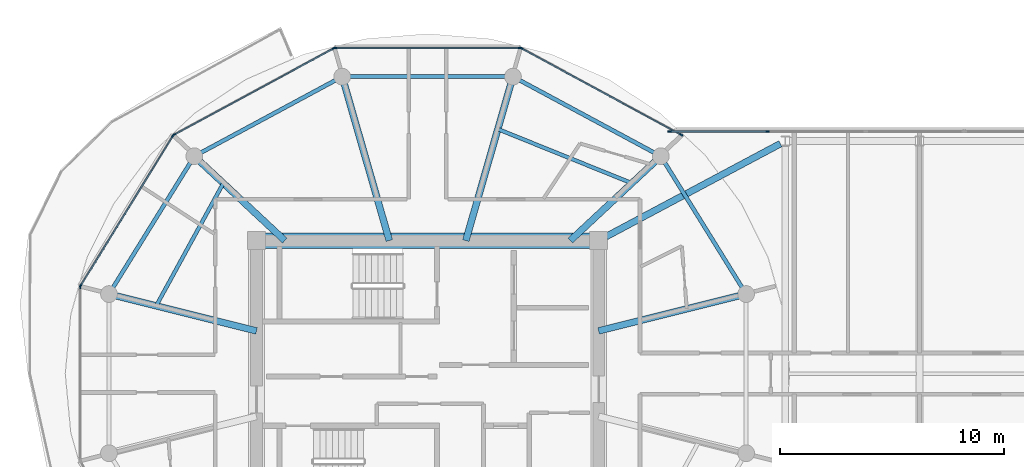
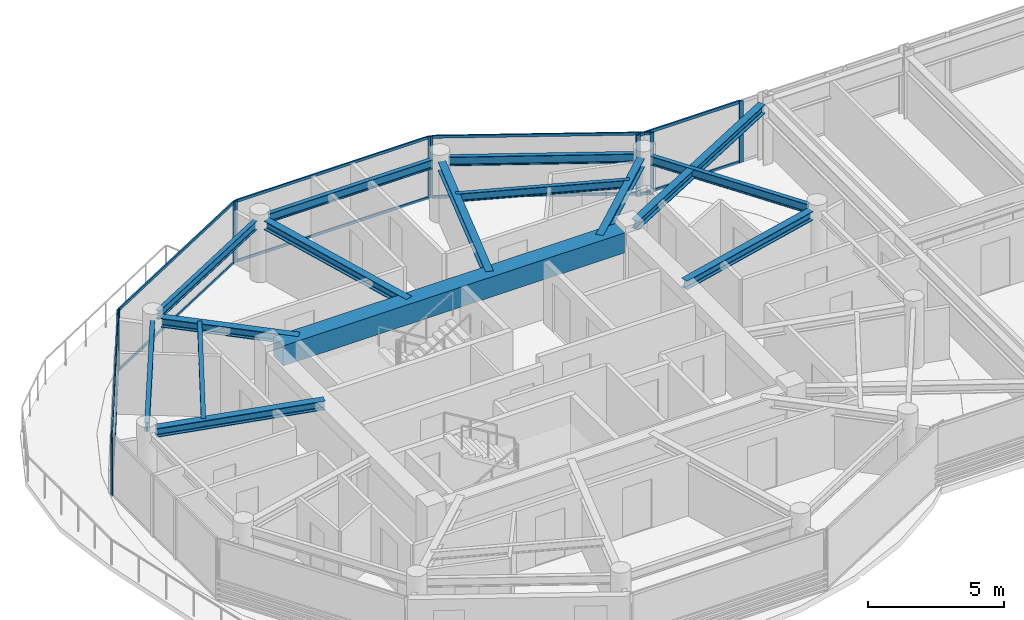
# One storey, part 5 of 24: 21 members, 15 beams, 6 elements without a shape of their own.
"""IFC4 building model written with IfcOpenShell, lengths in metres."""

from ifc_helpers import new_model, si_unit, direction, frame, origin, origin_2d, place, context, subcontext, project, spatial, rectangle, i_section, extrude, source, transform, mapped, material, layer, layer_set, material_profile, profile_set, type_object, type_shapes, element, aggregate, save


model = new_model("IFC4")

# Units and contexts
model_context = context("Model", 3, precision=1e-05, world=origin(), true_north=direction((0.0, 1.0)))
body_context = subcontext(model_context, "Body", "Model", "MODEL_VIEW")
ifc_project = project(units=[si_unit("LENGTHUNIT", "METRE"), si_unit("AREAUNIT", "SQUARE_METRE"), si_unit("VOLUMEUNIT", "CUBIC_METRE"), si_unit("PLANEANGLEUNIT", "RADIAN"), si_unit("MASSUNIT", "GRAM", prefix="KILO")], contexts=[model_context])

# Site, building, storey
site_placement = place(None, origin())
site = spatial("IfcSite", under=ifc_project, at=site_placement, CompositionType="ELEMENT")
building_placement = place(site_placement, origin())
building = spatial("IfcBuilding", under=site, at=building_placement, Name="Norrkilde Senior Care Towers", CompositionType="ELEMENT")
storey_placement = place(building_placement, frame((0.0, 0.0, 213.89990234375)))
storey = spatial("IfcBuildingStorey", under=building, at=storey_placement, Name="L66", CompositionType="ELEMENT", Elevation=213.89990234375)

# Beams
ifc_material_1 = material(Name="Concrete C60/75", Category="concrete")
ifc_material_profile_1 = material_profile(ifc_material_1, rectangle(XDim=0.699951171875, YDim=0.89990234375, at=origin_2d()), Name="RC BM 700x900")
ifc_profile_set_1 = profile_set([ifc_material_profile_1], Name="Concrete C60/75")
beam_type_1 = type_object("IfcBeamType", Name="Core Coupling Girder 700x900", PredefinedType="USERDEFINED", material=ifc_profile_set_1)
shared_shape_1 = source(origin(), body_context, "Body", "SweptSolid", [
    extrude(rectangle(XDim=0.699951171875, YDim=0.89990234375, at=origin_2d()), origin(), (0.0, 0.0, 1.0), 14.5400390625),
])
type_shapes(beam_type_1, [shared_shape_1])
beam_1_placement = place(storey_placement, frame((-35.27001953125, 5.949951171875, 2.31005859375), z_axis=(1.0, 0.0, 0.0), x_axis=(0.0, 1.0, 0.0)))
element("IfcBeam", 1, at=beam_1_placement, inside=storey, type_object=beam_type_1, Name="L66 Core W N Coupling Girder", ObjectType="GIRDER", PredefinedType="USERDEFINED", context=body_context, shape_type="MappedRepresentation", body=[
    mapped(shared_shape_1, transform((0.0, 0.0, 0.0), x_axis=(1.0, 0.0, 0.0), y_axis=(0.0, 1.0, 0.0), z_axis=(0.0, 0.0, 1.0), scale=1.0)),
])
ifc_material_2 = material(Name="Steel S355", Category="steel")
ifc_material_profile_2 = material_profile(ifc_material_2, i_section(OverallWidth=0.179931640625, OverallDepth=0.39990234375, WebThickness=0.008544921875, FlangeThickness=0.013427734375, FilletRadius=0.02099609375, at=origin_2d()), Name="IPE 400")
ifc_profile_set_2 = profile_set([ifc_material_profile_2], Name="Steel S355")
beam_type_2 = type_object("IfcBeamType", Name="Perimeter Ring Spandrel Z4 IPE400", PredefinedType="SPANDREL", material=ifc_profile_set_2)
shared_shape_2 = source(origin(), body_context, "Body", "SweptSolid", [
    extrude(i_section(OverallWidth=0.179931640625, OverallDepth=0.39990234375, WebThickness=0.008544921875, FlangeThickness=0.013427734375, FilletRadius=0.02099609375, at=origin_2d()), origin(), (0.0, 0.0, 1.0), 6.58056640625),
])
for number, where, z_axis, x_axis, name in (
    (2, (-13.928955078125, 3.843505859375, 2.56005859375), (-0.526529583789, 0.850156807533, 0.0), (-0.850156807533, -0.526529583789, 0.0), "L66 Drum W Perimeter Spandrel 01"),
    (3, (-38.606201171875, 9.43798828125, 2.56005859375), (-0.526529583789, -0.850156807533, 0.0), (0.850156807533, -0.526529583789, 0.0), "L66 Drum W Perimeter Spandrel 05"),
):
    element("IfcBeam", number, at=place(storey_placement, frame(where, z_axis=z_axis, x_axis=x_axis)), inside=storey, type_object=beam_type_2, Name=name, PredefinedType="SPANDREL", context=body_context, shape_type="MappedRepresentation", body=[
        mapped(shared_shape_2, transform((0.0, 0.0, 0.0), x_axis=(1.0, 0.0, 0.0), y_axis=(0.0, 1.0, 0.0), z_axis=(0.0, 0.0, 1.0), scale=1.0)),
    ])
ifc_material_profile_3 = material_profile(ifc_material_2, i_section(OverallWidth=0.300048828125, OverallDepth=0.39990234375, WebThickness=0.013427734375, FlangeThickness=0.02392578125, FilletRadius=0.027099609375, at=origin_2d()), Name="HEB 400")
ifc_profile_set_3 = profile_set([ifc_material_profile_3], Name="Steel S355")
beam_type_3 = type_object("IfcBeamType", Name="Radial Floor Beam Z4 HEB400", PredefinedType="BEAM", material=ifc_profile_set_3)
shared_shape_3 = source(origin(), body_context, "Body", "SweptSolid", [
    extrude(i_section(OverallWidth=0.300048828125, OverallDepth=0.39990234375, WebThickness=0.013427734375, FlangeThickness=0.02392578125, FilletRadius=0.027099609375, at=origin_2d()), origin(), (0.0, 0.0, 1.0), 6.465087890625),
])
for number, where, z_axis, x_axis, name in (
    (4, (-20.35009765625, 1.910888671875, 2.56005859375), (0.970195788563, 0.242322371758, 0.0), (-0.242322371758, 0.970195788563, 0.0), "L66 Drum W Radial Floor Beam 01"),
    (5, (-35.64990234375, 1.910888671875, 2.56005859375), (-0.970195788563, 0.242322371758, 0.0), (-0.242322371758, -0.970195788563, 0.0), "L66 Drum W Radial Floor Beam 06"),
):
    element("IfcBeam", number, at=place(storey_placement, frame(where, z_axis=z_axis, x_axis=x_axis)), inside=storey, type_object=beam_type_3, Name=name, PredefinedType="BEAM", context=body_context, shape_type="MappedRepresentation", body=[
        mapped(shared_shape_3, transform((0.0, 0.0, 0.0), x_axis=(1.0, 0.0, 0.0), y_axis=(0.0, 1.0, 0.0), z_axis=(0.0, 0.0, 1.0), scale=1.0)),
    ])
shared_shape_4 = source(origin(), body_context, "Body", "SweptSolid", [
    extrude(i_section(OverallWidth=0.179931640625, OverallDepth=0.39990234375, WebThickness=0.008544921875, FlangeThickness=0.013427734375, FilletRadius=0.02099609375, at=origin_2d()), origin(), (0.0, 0.0, 1.0), 6.839111328125),
])
for number, where, z_axis, x_axis, name in (
    (6, (-17.865234375, 9.881591796875, 2.56005859375), (-0.880563930732, 0.473927382511, 0.0), (-0.473927382511, -0.880563930732, 0.0), "L66 Drum W Perimeter Spandrel 02"),
    (7, (-32.112548828125, 13.122802734375, 2.56005859375), (-0.880563930732, -0.473927382511, 0.0), (0.473927382511, -0.880563930732, 0.0), "L66 Drum W Perimeter Spandrel 04"),
):
    element("IfcBeam", number, at=place(storey_placement, frame(where, z_axis=z_axis, x_axis=x_axis)), inside=storey, type_object=beam_type_2, Name=name, PredefinedType="SPANDREL", context=body_context, shape_type="MappedRepresentation", body=[
        mapped(shared_shape_4, transform((0.0, 0.0, 0.0), x_axis=(1.0, 0.0, 0.0), y_axis=(0.0, 1.0, 0.0), z_axis=(0.0, 0.0, 1.0), scale=1.0)),
    ])
shared_shape_5 = source(origin(), body_context, "Body", "SweptSolid", [
    extrude(i_section(OverallWidth=0.300048828125, OverallDepth=0.39990234375, WebThickness=0.013427734375, FlangeThickness=0.02392578125, FilletRadius=0.027099609375, at=origin_2d()), origin(), (0.0, 0.0, 1.0), 5.197998046875),
])
for number, where, z_axis, x_axis, name in (
    (8, (-21.6171875, 5.949951171875, 2.56005859375), (0.731448749334, 0.681896419625, 0.0), (-0.681896419625, 0.731448749334, 0.0), "L66 Drum W Radial Floor Beam 02"),
    (9, (-34.3828125, 5.949951171875, 2.56005859375), (-0.731448749334, 0.681896419625, 0.0), (-0.681896419625, -0.731448749334, 0.0), "L66 Drum W Radial Floor Beam 05"),
):
    element("IfcBeam", number, at=place(storey_placement, frame(where, z_axis=z_axis, x_axis=x_axis)), inside=storey, type_object=beam_type_3, Name=name, PredefinedType="BEAM", context=body_context, shape_type="MappedRepresentation", body=[
        mapped(shared_shape_5, transform((0.0, 0.0, 0.0), x_axis=(1.0, 0.0, 0.0), y_axis=(0.0, 1.0, 0.0), z_axis=(0.0, 0.0, 1.0), scale=1.0)),
    ])
shared_shape_6 = source(origin(), body_context, "Body", "SweptSolid", [
    extrude(i_section(OverallWidth=0.179931640625, OverallDepth=0.39990234375, WebThickness=0.008544921875, FlangeThickness=0.013427734375, FilletRadius=0.02099609375, at=origin_2d()), origin(), (0.0, 0.0, 1.0), 6.96533203125),
])
type_shapes(beam_type_2, [shared_shape_2, shared_shape_4, shared_shape_6])
beam_2_placement = place(storey_placement, frame((-24.517333984375, 13.281494140625, 2.56005859375), z_axis=(-1.0, 0.0, 0.0), x_axis=(0.0, -1.0, 0.0)))
element("IfcBeam", 10, at=beam_2_placement, inside=storey, type_object=beam_type_2, Name="L66 Drum W Perimeter Spandrel 03", PredefinedType="SPANDREL", context=body_context, shape_type="MappedRepresentation", body=[
    mapped(shared_shape_6, transform((0.0, 0.0, 0.0), x_axis=(1.0, 0.0, 0.0), y_axis=(0.0, 1.0, 0.0), z_axis=(0.0, 0.0, 1.0), scale=1.0)),
])
shared_shape_7 = source(origin(), body_context, "Body", "SweptSolid", [
    extrude(i_section(OverallWidth=0.300048828125, OverallDepth=0.39990234375, WebThickness=0.013427734375, FlangeThickness=0.02392578125, FilletRadius=0.027099609375, at=origin_2d()), origin(), (0.0, 0.0, 1.0), 7.29345703125),
])
for number, where, z_axis, x_axis, name in (
    (11, (-26.289794921875, 5.949951171875, 2.56005859375), (0.276263751906, 0.961081858836, 0.0), (-0.961081858836, 0.276263751906, 0.0), "L66 Drum W Radial Floor Beam 03"),
    (12, (-29.710205078125, 5.949951171875, 2.56005859375), (-0.276263751906, 0.961081858836, 0.0), (-0.961081858836, -0.276263751906, 0.0), "L66 Drum W Radial Floor Beam 04"),
):
    element("IfcBeam", number, at=place(storey_placement, frame(where, z_axis=z_axis, x_axis=x_axis)), inside=storey, type_object=beam_type_3, Name=name, PredefinedType="BEAM", context=body_context, shape_type="MappedRepresentation", body=[
        mapped(shared_shape_7, transform((0.0, 0.0, 0.0), x_axis=(1.0, 0.0, 0.0), y_axis=(0.0, 1.0, 0.0), z_axis=(0.0, 0.0, 1.0), scale=1.0)),
    ])
ifc_material_profile_4 = material_profile(ifc_material_2, i_section(OverallWidth=0.169921875, OverallDepth=0.360107421875, WebThickness=0.008056640625, FlangeThickness=0.0126953125, FilletRadius=0.01806640625, at=origin_2d()), Name="IPE 360")
ifc_profile_set_4 = profile_set([ifc_material_profile_4], Name="Steel S355")
beam_type_4 = type_object("IfcBeamType", Name="Secondary Floor Joist IPE360", PredefinedType="JOIST", material=ifc_profile_set_4)
shared_shape_8 = source(origin(), body_context, "Body", "SweptSolid", [
    extrude(i_section(OverallWidth=0.169921875, OverallDepth=0.360107421875, WebThickness=0.008056640625, FlangeThickness=0.0126953125, FilletRadius=0.01806640625, at=origin_2d()), origin(), (0.0, 0.0, 1.0), 6.461669921875),
])
beam_3_placement = place(storey_placement, frame((-18.865234375, 8.515380859375, 2.580078125), z_axis=(-0.927225942298, 0.374502405772, 0.0), x_axis=(-0.374502405772, -0.927225942298, 0.0)))
element("IfcBeam", 13, at=beam_3_placement, inside=storey, type_object=beam_type_4, Name="L66 Drum W Secondary Floor Joist 1", PredefinedType="JOIST", context=body_context, shape_type="MappedRepresentation", body=[
    mapped(shared_shape_8, transform((0.0, 0.0, 0.0), x_axis=(1.0, 0.0, 0.0), y_axis=(0.0, 1.0, 0.0), z_axis=(0.0, 0.0, 1.0), scale=1.0)),
])
shared_shape_9 = source(origin(), body_context, "Body", "SweptSolid", [
    extrude(i_section(OverallWidth=0.169921875, OverallDepth=0.360107421875, WebThickness=0.008056640625, FlangeThickness=0.0126953125, FilletRadius=0.01806640625, at=origin_2d()), origin(), (0.0, 0.0, 1.0), 6.25146484375),
])
type_shapes(beam_type_4, [shared_shape_8, shared_shape_9])
beam_4_placement = place(storey_placement, frame((-37.134765625, 8.515380859375, 2.580078125), z_axis=(-0.480115752653, -0.877205143655, 0.0), x_axis=(0.877205143655, -0.480115752653, 0.0)))
element("IfcBeam", 14, at=beam_4_placement, inside=storey, type_object=beam_type_4, Name="L66 Drum W Secondary Floor Joist 2", PredefinedType="JOIST", context=body_context, shape_type="MappedRepresentation", body=[
    mapped(shared_shape_9, transform((0.0, 0.0, 0.0), x_axis=(1.0, 0.0, 0.0), y_axis=(0.0, 1.0, 0.0), z_axis=(0.0, 0.0, 1.0), scale=1.0)),
])
shared_shape_10 = source(origin(), body_context, "Body", "SweptSolid", [
    extrude(i_section(OverallWidth=0.300048828125, OverallDepth=0.39990234375, WebThickness=0.013427734375, FlangeThickness=0.02392578125, FilletRadius=0.027099609375, at=origin_2d()), origin(), (0.0, 0.0, 1.0), 8.831787109375),
])
type_shapes(beam_type_3, [shared_shape_3, shared_shape_5, shared_shape_7, shared_shape_10])
beam_5_placement = place(storey_placement, frame((-20.0146484375, 6.128662109375, 2.56005859375), z_axis=(0.882492172381, 0.470327083727, 0.0), x_axis=(-0.470327083727, 0.882492172381, 0.0)))
element("IfcBeam", 15, at=beam_5_placement, inside=storey, type_object=beam_type_3, Name="L66 Sky-Gate Bridge Girder N1", PredefinedType="BEAM", context=body_context, shape_type="MappedRepresentation", body=[
    mapped(shared_shape_10, transform((0.0, 0.0, 0.0), x_axis=(1.0, 0.0, 0.0), y_axis=(0.0, 1.0, 0.0), z_axis=(0.0, 0.0, 1.0), scale=1.0)),
])

# Curtain wall, members
ifc_material_3 = material(Name="Triple Low-E Insulated Glazing", Category="glass")
ifc_layer_1 = layer(ifc_material_3, 0.18505859375)
ifc_layer_set_1 = layer_set([ifc_layer_1], Name="Triple Low-E Insulated Glazing")
curtain_wall_type_1 = type_object("IfcCurtainWallType", Name="CW6 Zone 4 Crown Pavilion Curtain Wall", PredefinedType="NOTDEFINED", material=ifc_layer_set_1)
curtain_wall_1_placement = place(storey_placement, origin())
curtain_wall_1 = element("IfcCurtainWall", 16, at=curtain_wall_1_placement, inside=storey, type_object=curtain_wall_type_1, Name="L66 Drum W Curtain Wall 04", PredefinedType="NOTDEFINED")
ifc_material_4 = material(Name="Anodised Aluminium", Category="aluminium")
ifc_material_profile_5 = material_profile(ifc_material_4, rectangle(XDim=0.06005859375, YDim=0.1201171875, at=origin_2d()), Name="ALU TRAN 60x120")
ifc_profile_set_5 = profile_set([ifc_material_profile_5], Name="Anodised Aluminium")
member_type_1 = type_object("IfcMemberType", Name="Curtain Wall Transom Typical 60x120", PredefinedType="USERDEFINED", material=ifc_profile_set_5)
shared_shape_11 = source(origin(), body_context, "Body", "SweptSolid", [
    extrude(rectangle(XDim=0.06005859375, YDim=0.1201171875, at=origin_2d()), origin(), (0.0, 0.0, 1.0), 7.808837890625),
])
member_1_placement = place(storey_placement, frame((-43.498046875, 3.958251953125, 0.030029296875), z_axis=(0.524250924101, 0.851563837055, 0.0), x_axis=(-0.851563837055, 0.524250924101, 0.0)))
member_1 = element("IfcMember", 17, at=member_1_placement, type_object=member_type_1, Name="CW-6 transom 1.1", ObjectType="TRANSOM", PredefinedType="USERDEFINED", context=body_context, shape_type="MappedRepresentation", body=[
    mapped(shared_shape_11, transform((0.0, 0.0, 0.0), x_axis=(1.0, 0.0, 0.0), y_axis=(0.0, 1.0, 0.0), z_axis=(0.0, 0.0, 1.0), scale=1.0)),
])
member_2_placement = place(storey_placement, frame((-43.498046875, 3.958251953125, 2.72998046875), z_axis=(0.524250924101, 0.851563837055, 0.0), x_axis=(-0.851563837055, 0.524250924101, 0.0)))
member_2 = element("IfcMember", 18, at=member_2_placement, type_object=member_type_1, Name="CW-6 transom 1.2", ObjectType="TRANSOM", PredefinedType="USERDEFINED", context=body_context, shape_type="MappedRepresentation", body=[
    mapped(shared_shape_11, transform((0.0, 0.0, 0.0), x_axis=(1.0, 0.0, 0.0), y_axis=(0.0, 1.0, 0.0), z_axis=(0.0, 0.0, 1.0), scale=1.0)),
])

curtain_wall_2_placement = place(storey_placement, origin())
curtain_wall_2 = element("IfcCurtainWall", 19, at=curtain_wall_2_placement, inside=storey, type_object=curtain_wall_type_1, Name="L66 Drum W Curtain Wall 02", PredefinedType="NOTDEFINED")
shared_shape_12 = source(origin(), body_context, "Body", "SweptSolid", [
    extrude(rectangle(XDim=0.06005859375, YDim=0.1201171875, at=origin_2d()), origin(), (0.0, 0.0, 1.0), 8.19384765625),
])
member_3_placement = place(storey_placement, frame((-32.096923828125, 14.566162109375, 0.030029296875), z_axis=(1.0, 0.0, 0.0), x_axis=(0.0, 1.0, 0.0)))
member_3 = element("IfcMember", 20, at=member_3_placement, type_object=member_type_1, Name="CW-6 transom 1.1", ObjectType="TRANSOM", PredefinedType="USERDEFINED", context=body_context, shape_type="MappedRepresentation", body=[
    mapped(shared_shape_12, transform((0.0, 0.0, 0.0), x_axis=(1.0, 0.0, 0.0), y_axis=(0.0, 1.0, 0.0), z_axis=(0.0, 0.0, 1.0), scale=1.0)),
])
member_4_placement = place(storey_placement, frame((-32.096923828125, 14.566162109375, 2.72998046875), z_axis=(1.0, 0.0, 0.0), x_axis=(0.0, 1.0, 0.0)))
member_4 = element("IfcMember", 21, at=member_4_placement, type_object=member_type_1, Name="CW-6 transom 1.2", ObjectType="TRANSOM", PredefinedType="USERDEFINED", context=body_context, shape_type="MappedRepresentation", body=[
    mapped(shared_shape_12, transform((0.0, 0.0, 0.0), x_axis=(1.0, 0.0, 0.0), y_axis=(0.0, 1.0, 0.0), z_axis=(0.0, 0.0, 1.0), scale=1.0)),
])

curtain_wall_3_placement = place(storey_placement, origin())
curtain_wall_3 = element("IfcCurtainWall", 22, at=curtain_wall_3_placement, inside=storey, type_object=curtain_wall_type_1, Name="L66 Drum W Curtain Wall 01", PredefinedType="NOTDEFINED")
shared_shape_13 = source(origin(), body_context, "Body", "SweptSolid", [
    extrude(rectangle(XDim=0.06005859375, YDim=0.1201171875, at=origin_2d()), origin(), (0.0, 0.0, 1.0), 8.0673828125),
])
type_shapes(member_type_1, [shared_shape_11, shared_shape_12, shared_shape_13])
member_5_placement = place(storey_placement, frame((-23.781005859375, 14.53515625, 0.030029296875), z_axis=(0.87937750072, -0.476125205411, 0.0), x_axis=(0.476125205411, 0.87937750072, 0.0)))
member_5 = element("IfcMember", 23, at=member_5_placement, type_object=member_type_1, Name="CW-6 transom 1.1", ObjectType="TRANSOM", PredefinedType="USERDEFINED", context=body_context, shape_type="MappedRepresentation", body=[
    mapped(shared_shape_13, transform((0.0, 0.0, 0.0), x_axis=(1.0, 0.0, 0.0), y_axis=(0.0, 1.0, 0.0), z_axis=(0.0, 0.0, 1.0), scale=1.0)),
])
member_6_placement = place(storey_placement, frame((-23.781005859375, 14.53515625, 2.72998046875), z_axis=(0.87937750072, -0.476125205411, 0.0), x_axis=(0.476125205411, 0.87937750072, 0.0)))
member_6 = element("IfcMember", 24, at=member_6_placement, type_object=member_type_1, Name="CW-6 transom 1.2", ObjectType="TRANSOM", PredefinedType="USERDEFINED", context=body_context, shape_type="MappedRepresentation", body=[
    mapped(shared_shape_13, transform((0.0, 0.0, 0.0), x_axis=(1.0, 0.0, 0.0), y_axis=(0.0, 1.0, 0.0), z_axis=(0.0, 0.0, 1.0), scale=1.0)),
])

curtain_wall_4_placement = place(storey_placement, origin())
curtain_wall_4 = element("IfcCurtainWall", 25, at=curtain_wall_4_placement, inside=storey, type_object=curtain_wall_type_1, Name="L66 Drum W Curtain Wall 03", PredefinedType="NOTDEFINED")
member_7_placement = place(storey_placement, frame((-39.313232421875, 10.694091796875, 0.030029296875), z_axis=(0.87937750072, 0.476125205411, 0.0), x_axis=(-0.476125205411, 0.87937750072, 0.0)))
member_7 = element("IfcMember", 26, at=member_7_placement, type_object=member_type_1, Name="CW-6 transom 1.1", ObjectType="TRANSOM", PredefinedType="USERDEFINED", context=body_context, shape_type="MappedRepresentation", body=[
    mapped(shared_shape_13, transform((0.0, 0.0, 0.0), x_axis=(1.0, 0.0, 0.0), y_axis=(0.0, 1.0, 0.0), z_axis=(0.0, 0.0, 1.0), scale=1.0)),
])
member_8_placement = place(storey_placement, frame((-39.313232421875, 10.694091796875, 2.72998046875), z_axis=(0.87937750072, 0.476125205411, 0.0), x_axis=(-0.476125205411, 0.87937750072, 0.0)))
member_8 = element("IfcMember", 27, at=member_8_placement, type_object=member_type_1, Name="CW-6 transom 1.2", ObjectType="TRANSOM", PredefinedType="USERDEFINED", context=body_context, shape_type="MappedRepresentation", body=[
    mapped(shared_shape_13, transform((0.0, 0.0, 0.0), x_axis=(1.0, 0.0, 0.0), y_axis=(0.0, 1.0, 0.0), z_axis=(0.0, 0.0, 1.0), scale=1.0)),
])

# Member
ifc_material_profile_6 = material_profile(ifc_material_4, rectangle(XDim=0.06494140625, YDim=0.14990234375, at=origin_2d()), Name="ALU MULL 65x150")
ifc_profile_set_6 = profile_set([ifc_material_profile_6], Name="Anodised Aluminium")
member_type_2 = type_object("IfcMemberType", Name="Curtain Wall Mullion Z3-Z4 65x150", PredefinedType="MULLION", material=ifc_profile_set_6)
shared_shape_14 = source(origin(), body_context, "Body", "SweptSolid", [
    extrude(rectangle(XDim=0.06494140625, YDim=0.14990234375, at=origin_2d()), origin(), (0.0, 0.0, 1.0), 2.760009765625),
])
type_shapes(member_type_2, [shared_shape_14])
member_9_placement = place(storey_placement, frame((-23.8095703125, 14.55078125, 0.0), z_axis=(0.0, 0.0, 1.0), x_axis=(0.476132676136, 0.879373455772, 0.0)))
member_9 = element("IfcMember", 28, at=member_9_placement, type_object=member_type_2, Name="CW-6 mullion 1", PredefinedType="MULLION", context=body_context, shape_type="MappedRepresentation", body=[
    mapped(shared_shape_14, transform((0.0, 0.0, 0.0), x_axis=(1.0, 0.0, 0.0), y_axis=(0.0, 1.0, 0.0), z_axis=(0.0, 0.0, 1.0), scale=1.0)),
])

member_10_placement = place(storey_placement, frame((-16.658203125, 10.6787109375, 0.0), z_axis=(0.0, 0.0, 1.0), x_axis=(0.476132676136, 0.879373455772, 0.0)))
member_10 = element("IfcMember", 29, at=member_10_placement, type_object=member_type_2, Name="CW-6 mullion 2", PredefinedType="MULLION", context=body_context, shape_type="MappedRepresentation", body=[
    mapped(shared_shape_14, transform((0.0, 0.0, 0.0), x_axis=(1.0, 0.0, 0.0), y_axis=(0.0, 1.0, 0.0), z_axis=(0.0, 0.0, 1.0), scale=1.0)),
])

aggregate(curtain_wall_3, [member_9, member_10, member_5, member_6])

member_11_placement = place(storey_placement, frame((-32.12939453125, 14.566162109375, 0.0), z_axis=(0.0, 0.0, 1.0), x_axis=(0.0, 1.0, 0.0)))
member_11 = element("IfcMember", 30, at=member_11_placement, type_object=member_type_2, Name="CW-6 mullion 1", PredefinedType="MULLION", context=body_context, shape_type="MappedRepresentation", body=[
    mapped(shared_shape_14, transform((0.0, 0.0, 0.0), x_axis=(1.0, 0.0, 0.0), y_axis=(0.0, 1.0, 0.0), z_axis=(0.0, 0.0, 1.0), scale=1.0)),
])

member_12_placement = place(storey_placement, frame((-23.87060546875, 14.566162109375, 0.0), z_axis=(0.0, 0.0, 1.0), x_axis=(0.0, 1.0, 0.0)))
member_12 = element("IfcMember", 31, at=member_12_placement, type_object=member_type_2, Name="CW-6 mullion 2", PredefinedType="MULLION", context=body_context, shape_type="MappedRepresentation", body=[
    mapped(shared_shape_14, transform((0.0, 0.0, 0.0), x_axis=(1.0, 0.0, 0.0), y_axis=(0.0, 1.0, 0.0), z_axis=(0.0, 0.0, 1.0), scale=1.0)),
])

aggregate(curtain_wall_2, [member_11, member_12, member_3, member_4])

member_13_placement = place(storey_placement, frame((-39.341796875, 10.6787109375, 0.0), z_axis=(0.0, 0.0, 1.0), x_axis=(-0.476132676136, 0.879373455772, 0.0)))
member_13 = element("IfcMember", 32, at=member_13_placement, type_object=member_type_2, Name="CW-6 mullion 1", PredefinedType="MULLION", context=body_context, shape_type="MappedRepresentation", body=[
    mapped(shared_shape_14, transform((0.0, 0.0, 0.0), x_axis=(1.0, 0.0, 0.0), y_axis=(0.0, 1.0, 0.0), z_axis=(0.0, 0.0, 1.0), scale=1.0)),
])

member_14_placement = place(storey_placement, frame((-32.1904296875, 14.55078125, 0.0), z_axis=(0.0, 0.0, 1.0), x_axis=(-0.476132676136, 0.879373455772, 0.0)))
member_14 = element("IfcMember", 33, at=member_14_placement, type_object=member_type_2, Name="CW-6 mullion 2", PredefinedType="MULLION", context=body_context, shape_type="MappedRepresentation", body=[
    mapped(shared_shape_14, transform((0.0, 0.0, 0.0), x_axis=(1.0, 0.0, 0.0), y_axis=(0.0, 1.0, 0.0), z_axis=(0.0, 0.0, 1.0), scale=1.0)),
])

aggregate(curtain_wall_4, [member_13, member_14, member_7, member_8])

member_15_placement = place(storey_placement, frame((-43.51513671875, 3.9306640625, 0.0), z_axis=(0.0, 0.0, 1.0), x_axis=(-0.851562727283, 0.524252726748, 0.0)))
member_15 = element("IfcMember", 34, at=member_15_placement, type_object=member_type_2, Name="CW-6 mullion 1", PredefinedType="MULLION", context=body_context, shape_type="MappedRepresentation", body=[
    mapped(shared_shape_14, transform((0.0, 0.0, 0.0), x_axis=(1.0, 0.0, 0.0), y_axis=(0.0, 1.0, 0.0), z_axis=(0.0, 0.0, 1.0), scale=1.0)),
])

member_16_placement = place(storey_placement, frame((-39.38720703125, 10.635498046875, 0.0), z_axis=(0.0, 0.0, 1.0), x_axis=(-0.851562727283, 0.524252726748, 0.0)))
member_16 = element("IfcMember", 35, at=member_16_placement, type_object=member_type_2, Name="CW-6 mullion 2", PredefinedType="MULLION", context=body_context, shape_type="MappedRepresentation", body=[
    mapped(shared_shape_14, transform((0.0, 0.0, 0.0), x_axis=(1.0, 0.0, 0.0), y_axis=(0.0, 1.0, 0.0), z_axis=(0.0, 0.0, 1.0), scale=1.0)),
])

aggregate(curtain_wall_1, [member_15, member_16, member_1, member_2])

# Curtain wall, member
curtain_wall_5_placement = place(storey_placement, origin())
curtain_wall_5 = element("IfcCurtainWall", 36, at=curtain_wall_5_placement, inside=storey, type_object=curtain_wall_type_1, Name="L66 Drum W Curtain Wall 05", PredefinedType="NOTDEFINED")
member_17_placement = place(storey_placement, frame((-43.531982421875, 3.87060546875, 0.0), z_axis=(0.0, 0.0, 1.0), x_axis=(-1.0, 0.0, 0.0)))
member_17 = element("IfcMember", 37, at=member_17_placement, type_object=member_type_2, Name="CW-6 mullion 2", PredefinedType="MULLION", context=body_context, shape_type="MappedRepresentation", body=[
    mapped(shared_shape_14, transform((0.0, 0.0, 0.0), x_axis=(1.0, 0.0, 0.0), y_axis=(0.0, 1.0, 0.0), z_axis=(0.0, 0.0, 1.0), scale=1.0)),
])
aggregate(curtain_wall_5, [member_17])

# Curtain wall, members
ifc_layer_2 = layer(ifc_material_3, 0.2099609375)
ifc_layer_set_2 = layer_set([ifc_layer_2], Name="Triple Low-E Insulated Glazing")
curtain_wall_type_2 = type_object("IfcCurtainWallType", Name="CW5 Sky-Gate Bridge Curtain Wall", PredefinedType="NOTDEFINED", material=ifc_layer_set_2)
curtain_wall_6_placement = place(storey_placement, origin())
curtain_wall_6 = element("IfcCurtainWall", 38, at=curtain_wall_6_placement, inside=storey, type_object=curtain_wall_type_2, Name="L66 Sky-Gate Bridge North Curtain Wall 1", PredefinedType="NOTDEFINED")
ifc_material_profile_7 = material_profile(ifc_material_4, rectangle(XDim=0.06494140625, YDim=0.1298828125, at=origin_2d()), Name="ALU TRAN 65x130")
ifc_profile_set_7 = profile_set([ifc_material_profile_7], Name="Anodised Aluminium")
member_type_3 = type_object("IfcMemberType", Name="Curtain Wall Transom Heavy 65x130", PredefinedType="USERDEFINED", material=ifc_profile_set_7)
shared_shape_15 = source(origin(), body_context, "Body", "SweptSolid", [
    extrude(rectangle(XDim=0.06494140625, YDim=0.1298828125, at=origin_2d()), origin(), (0.0, 0.0, 1.0), 4.294921875),
])
type_shapes(member_type_3, [shared_shape_15])
member_18_placement = place(storey_placement, frame((-17.1298828125, 10.820068359375, 0.03271484375), z_axis=(1.0, 0.0, 0.0), x_axis=(0.0, 1.0, 0.0)))
member_18 = element("IfcMember", 39, at=member_18_placement, type_object=member_type_3, Name="CW-5 transom 1.1", ObjectType="TRANSOM", PredefinedType="USERDEFINED", context=body_context, shape_type="MappedRepresentation", body=[
    mapped(shared_shape_15, transform((0.0, 0.0, 0.0), x_axis=(1.0, 0.0, 0.0), y_axis=(0.0, 1.0, 0.0), z_axis=(0.0, 0.0, 1.0), scale=1.0)),
])
member_19_placement = place(storey_placement, frame((-17.1298828125, 10.820068359375, 2.7275390625), z_axis=(1.0, 0.0, 0.0), x_axis=(0.0, 1.0, 0.0)))
member_19 = element("IfcMember", 40, at=member_19_placement, type_object=member_type_3, Name="CW-5 transom 1.2", ObjectType="TRANSOM", PredefinedType="USERDEFINED", context=body_context, shape_type="MappedRepresentation", body=[
    mapped(shared_shape_15, transform((0.0, 0.0, 0.0), x_axis=(1.0, 0.0, 0.0), y_axis=(0.0, 1.0, 0.0), z_axis=(0.0, 0.0, 1.0), scale=1.0)),
])
ifc_material_profile_8 = material_profile(ifc_material_4, rectangle(XDim=0.070068359375, YDim=0.169921875, at=origin_2d()), Name="ALU MULL 70x170")
ifc_profile_set_8 = profile_set([ifc_material_profile_8], Name="Anodised Aluminium")
member_type_4 = type_object("IfcMemberType", Name="Curtain Wall Mullion Heavy 70x170", PredefinedType="MULLION", material=ifc_profile_set_8)
shared_shape_16 = source(origin(), body_context, "Body", "SweptSolid", [
    extrude(rectangle(XDim=0.070068359375, YDim=0.169921875, at=origin_2d()), origin(), (0.0, 0.0, 1.0), 2.760009765625),
])
type_shapes(member_type_4, [shared_shape_16])
member_20_placement = place(storey_placement, frame((-17.1650390625, 10.820068359375, 0.0), z_axis=(0.0, 0.0, 1.0), x_axis=(0.0, 1.0, 0.0)))
member_20 = element("IfcMember", 41, at=member_20_placement, type_object=member_type_4, Name="CW-5 mullion 1", PredefinedType="MULLION", context=body_context, shape_type="MappedRepresentation", body=[
    mapped(shared_shape_16, transform((0.0, 0.0, 0.0), x_axis=(1.0, 0.0, 0.0), y_axis=(0.0, 1.0, 0.0), z_axis=(0.0, 0.0, 1.0), scale=1.0)),
])
member_21_placement = place(storey_placement, frame((-12.800048828125, 10.820068359375, 0.0), z_axis=(0.0, 0.0, 1.0), x_axis=(0.0, 1.0, 0.0)))
member_21 = element("IfcMember", 42, at=member_21_placement, type_object=member_type_4, Name="CW-5 mullion 2", PredefinedType="MULLION", context=body_context, shape_type="MappedRepresentation", body=[
    mapped(shared_shape_16, transform((0.0, 0.0, 0.0), x_axis=(1.0, 0.0, 0.0), y_axis=(0.0, 1.0, 0.0), z_axis=(0.0, 0.0, 1.0), scale=1.0)),
])
aggregate(curtain_wall_6, [member_20, member_21, member_18, member_19])

save(model, "model.ifc")
